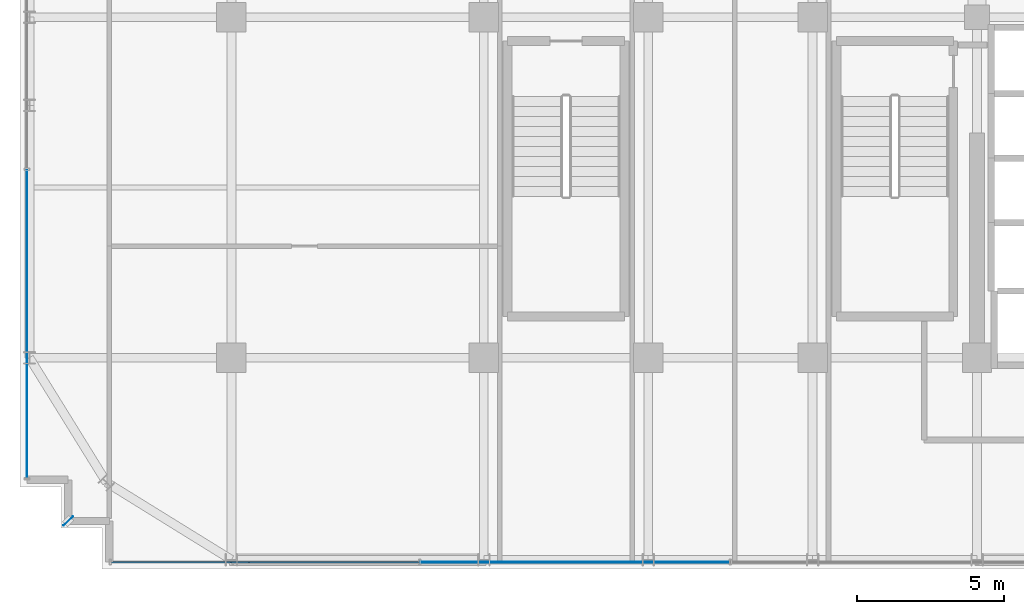
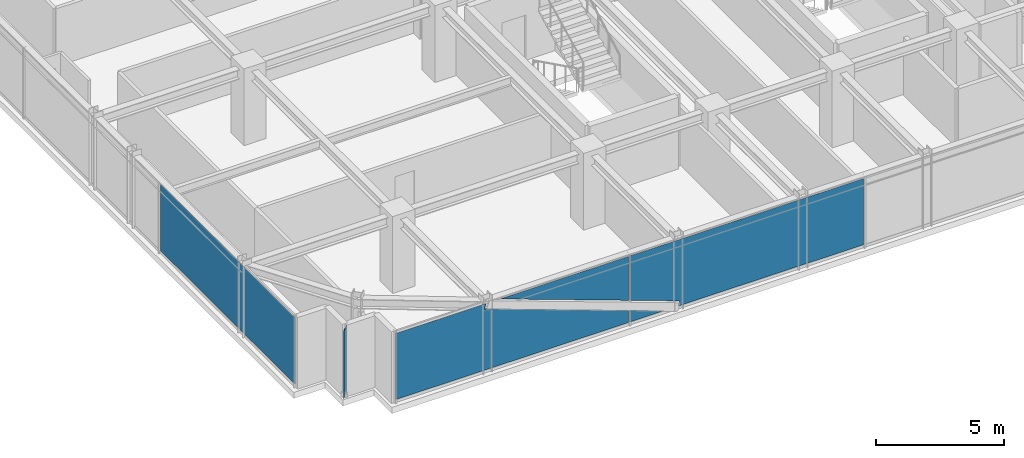
# One storey, part 29 of 42: 4 plates, 2 elements without a shape of their own.
"""IFC4 building model written with IfcOpenShell, lengths in metres."""

from ifc_helpers import new_model, si_unit, direction, frame, origin, origin_2d, place, context, subcontext, project, spatial, polyline, rectangle, outline, extrude, source, transform, mapped, material, layer, layer_set, type_object, element, aggregate, save


model = new_model("IFC4")

# Units and contexts
model_context = context("Model", 3, precision=1e-05, world=origin(), true_north=direction((0.0, 1.0)))
body_context = subcontext(model_context, "Body", "Model", "MODEL_VIEW")
ifc_project = project(units=[si_unit("LENGTHUNIT", "METRE"), si_unit("AREAUNIT", "SQUARE_METRE"), si_unit("VOLUMEUNIT", "CUBIC_METRE"), si_unit("PLANEANGLEUNIT", "RADIAN"), si_unit("MASSUNIT", "GRAM", prefix="KILO")], contexts=[model_context])

# Site, building, storey
site_placement = place(None, origin())
site = spatial("IfcSite", under=ifc_project, at=site_placement, CompositionType="ELEMENT")
building_placement = place(site_placement, origin())
building = spatial("IfcBuilding", under=site, at=building_placement, Name="Nahalor Promenade Grand Hotel", CompositionType="ELEMENT")
storey_placement = place(building_placement, frame((0.0, 0.0, 249.300048828125)))
storey = spatial("IfcBuildingStorey", under=building, at=storey_placement, Name="L64", CompositionType="ELEMENT", Elevation=249.300048828125)

# Curtain wall, plates
ifc_material_1 = material(Name="Anodised Bronze Aluminium EN AW-6063 T6", Category="aluminium")
curtain_wall_type = type_object("IfcCurtainWallType", Name="CW2 Typical Hotel Flush Bronze Unitised Curtain Wall", PredefinedType="USERDEFINED", material=ifc_material_1)
curtain_wall_1_placement = place(storey_placement, origin())
curtain_wall_1 = element("IfcCurtainWall", 1, at=curtain_wall_1_placement, inside=storey, type_object=curtain_wall_type, Name="L64 Curtain Wall CW-L64-S-1", ObjectType="UNITISED_CURTAIN_WALL", PredefinedType="USERDEFINED")
ifc_material_2 = material(Name="Low-E Laminated Solar Glass", Category="glass")
ifc_layer_1 = layer(ifc_material_2, 0.028076171875)
ifc_layer_set_1 = layer_set([ifc_layer_1], Name="Low-E Laminated Solar Glass")
plate_type_1 = type_object("IfcPlateType", Name="CWP2 Bronze Low-E Vision IGU 28mm", PredefinedType="CURTAIN_PANEL", material=ifc_layer_set_1)
plate_1_placement = place(storey_placement, frame((-15.853759765625, -23.9599609375, 0.1298828125), z_axis=(0.0, 0.0, 1.0), x_axis=(1.0, 0.0, 0.0)))
plate_1 = element("IfcPlate", 2, at=plate_1_placement, type_object=plate_type_1, Name="CW-L64-S-1 Glazing Panel 0-0", PredefinedType="CURTAIN_PANEL", context=body_context, shape_type="SweptSolid", body=[
    extrude(outline(polyline([(-5.2412109375, 0.0), (5.2412109375, 0.0), (5.2412109375, 0.580810546875), (-1.246337890625, 2.927001953125), (-1.16552734375, 3.14990234375), (-5.2412109375, 3.14990234375), (-5.2412109375, 0.0)])), frame((0.0, 0.01416015625, 0.0), z_axis=(0.0, -1.0, 0.0), x_axis=(1.0, 0.0, 0.0)), (0.0, 0.0, 1.0), 0.028076171875),
    extrude(outline(polyline([(5.2412109375, 1.059326171875), (5.2412109375, 3.14990234375), (-0.5400390625, 3.14990234375), (5.2412109375, 1.059326171875)])), frame((0.0, 0.01416015625, 0.0), z_axis=(0.0, -1.0, 0.0), x_axis=(1.0, 0.0, 0.0)), (0.0, 0.0, 1.0), 0.028076171875),
])
plate_2_placement = place(storey_placement, frame((-5.2900390625, -23.9599609375, 0.1298828125), z_axis=(0.0, 0.0, 1.0), x_axis=(1.0, 0.0, 0.0)))
plate_2 = element("IfcPlate", 3, at=plate_2_placement, type_object=plate_type_1, Name="CW-L64-S-1 Glazing Panel 1-0", PredefinedType="CURTAIN_PANEL", context=body_context, shape_type="SweptSolid", body=[
    extrude(outline(polyline([(5.257568359375, 3.14990234375), (-5.257568359375, 3.14990234375), (-5.257568359375, 1.035888671875), (-3.010009765625, 0.22314453125), (-3.090576171875, 0.0), (5.257568359375, 0.0), (5.257568359375, 3.14990234375)])), frame((0.0, 0.01416015625, 0.0), z_axis=(0.0, -1.0, 0.0), x_axis=(1.0, 0.0, 0.0)), (0.0, 0.0, 1.0), 0.028076171875),
    extrude(outline(polyline([(-5.257568359375, 0.557373046875), (-5.257568359375, 0.0), (-3.71630859375, 0.0), (-5.257568359375, 0.557373046875)])), frame((0.0, 0.01416015625, 0.0), z_axis=(0.0, -1.0, 0.0), x_axis=(1.0, 0.0, 0.0)), (0.0, 0.0, 1.0), 0.028076171875),
])
aggregate(curtain_wall_1, [plate_1, plate_2])

# Plate
ifc_layer_2 = layer(ifc_material_1, 0.02001953125)
ifc_layer_set_2 = layer_set([ifc_layer_2], Name="Anodised Bronze Aluminium EN AW-6063 T6")
plate_type_2 = type_object("IfcPlateType", Name="Plate-CornerFin-20", PredefinedType="SHEET", material=ifc_layer_set_2)
shared_shape_1 = source(origin(), body_context, "Body", "SweptSolid", [
    extrude(rectangle(XDim=0.449951171875, YDim=0.02001953125, at=origin_2d()), origin(), (0.0, 0.0, 1.0), 3.199951171875),
])
plate_3_placement = place(storey_placement, frame((-22.56005859375, -22.56005859375, 0.0), z_axis=(0.0, 0.0, 1.0), x_axis=(0.707106781187, 0.707106781187, 0.0)))
element("IfcPlate", 4, at=plate_3_placement, inside=storey, type_object=plate_type_2, Name="FIN-L64-SW", PredefinedType="SHEET", context=body_context, shape_type="MappedRepresentation", body=[
    mapped(shared_shape_1, transform((0.0, 0.0, 0.0), scale=1.0)),
])

# Curtain wall, plate
curtain_wall_2_placement = place(storey_placement, origin())
curtain_wall_2 = element("IfcCurtainWall", 5, at=curtain_wall_2_placement, inside=storey, type_object=curtain_wall_type, Name="L64 Curtain Wall CW-L64-W-1", ObjectType="UNITISED_CURTAIN_WALL", PredefinedType="USERDEFINED")
shared_shape_2 = source(origin(), body_context, "Body", "SweptSolid", [
    extrude(rectangle(XDim=10.482421875, YDim=0.028076171875, at=origin_2d()), origin(), (0.0, 0.0, 1.0), 3.14990234375),
])
plate_4_placement = place(storey_placement, frame((-23.9599609375, -15.853759765625, 0.1298828125), z_axis=(0.0, 0.0, 1.0), x_axis=(0.0, 1.0, 0.0)))
plate_4 = element("IfcPlate", 6, at=plate_4_placement, type_object=plate_type_1, Name="CW-L64-W-1 Glazing Panel 0-0", PredefinedType="CURTAIN_PANEL", context=body_context, shape_type="MappedRepresentation", body=[
    mapped(shared_shape_2, transform((0.0, 0.0, 0.0), scale=1.0)),
])
aggregate(curtain_wall_2, [plate_4])

save(model, "model.ifc")
